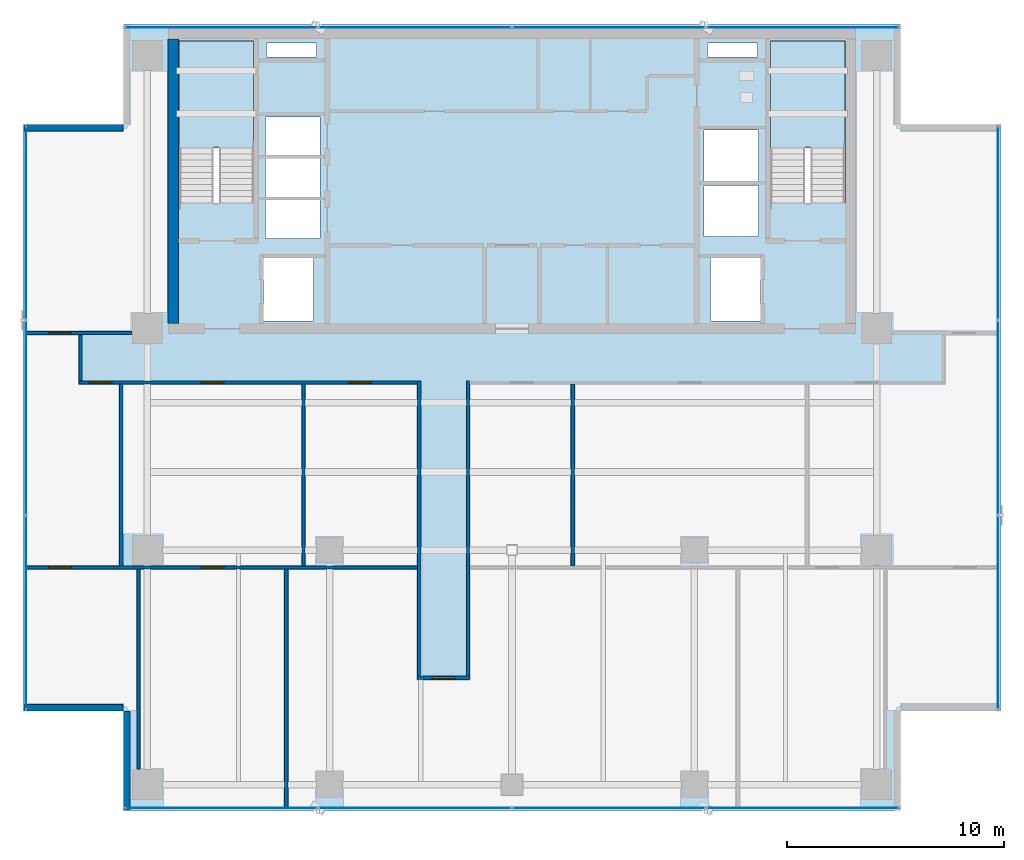
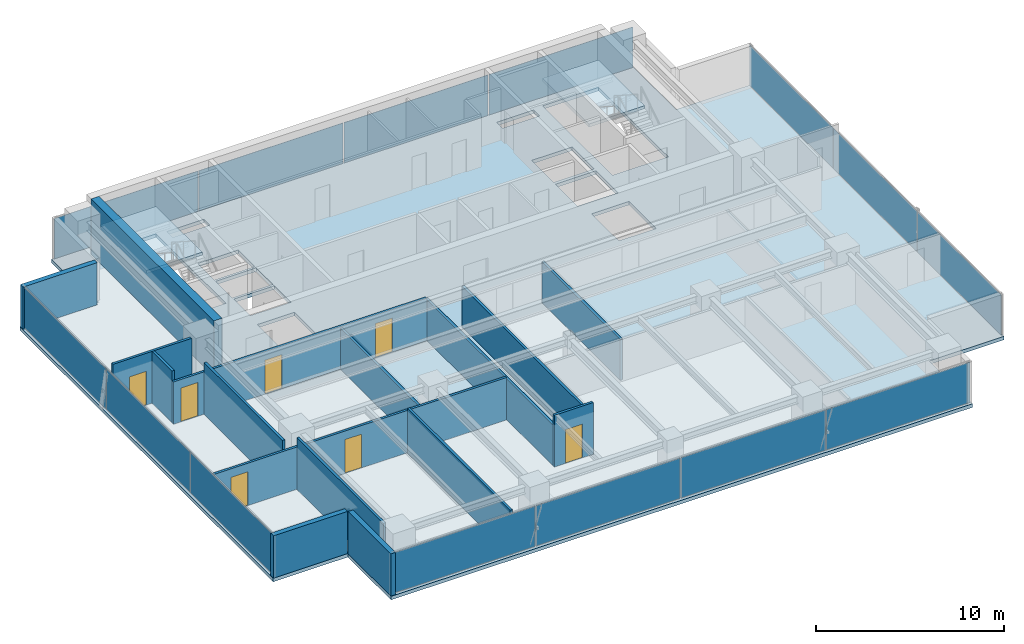
# One storey, part 19 of 26: 16 walls, 14 plates, 7 doors, 3 slabs, 7 openings, 6 elements without a shape of their own.
"""IFC4 building model written with IfcOpenShell, lengths in metres."""

from ifc_helpers import new_model, si_unit, direction, frame, frame_2d, origin, origin_2d, place, context, subcontext, project, spatial, polyline, rectangle, outline, extrude, source, transform, mapped, material, layer, layer_set, type_object, element, fill, aggregate, save


model = new_model("IFC4")

# Units and contexts
model_context = context("Model", 3, precision=1e-05, world=origin(), true_north=direction((0.0, 1.0)))
body_context = subcontext(model_context, "Body", "Model", "MODEL_VIEW")
ifc_project = project(units=[si_unit("LENGTHUNIT", "METRE"), si_unit("AREAUNIT", "SQUARE_METRE"), si_unit("VOLUMEUNIT", "CUBIC_METRE"), si_unit("PLANEANGLEUNIT", "RADIAN"), si_unit("MASSUNIT", "GRAM", prefix="KILO")], contexts=[model_context])

# Site, building, storey
site_placement = place(None, origin())
site = spatial("IfcSite", under=ifc_project, at=site_placement, CompositionType="ELEMENT")
building_placement = place(site_placement, origin())
building = spatial("IfcBuilding", under=site, at=building_placement, Name="Sumidabori Civic Tower", CompositionType="ELEMENT")
storey_placement = place(building_placement, frame((0.0, 0.0, 250.39990234375)))
storey = spatial("IfcBuildingStorey", under=building, at=storey_placement, Name="L65", CompositionType="ELEMENT", Elevation=250.39990234375)

# Stair, slab
ifc_material_1 = material(Name="Concrete C40/50", Category="concrete")
stair_type = type_object("IfcStairType", Name="ST-CORE-1600", PredefinedType="HALF_TURN_STAIR", material=ifc_material_1)
stair_1_placement = place(storey_placement, origin())
stair_1 = element("IfcStair", 1, at=stair_1_placement, inside=storey, type_object=stair_type, Name="L65 ST-1", PredefinedType="HALF_TURN_STAIR")
ifc_layer_1 = layer(ifc_material_1, 0.199951171875, Name="Concrete C40/50")
ifc_layer_set_1 = layer_set([ifc_layer_1], Name="Concrete C40/50")
slab_type_1 = type_object("IfcSlabType", Name="SL-LAND-200", PredefinedType="LANDING", material=ifc_layer_set_1)
slab_1_placement = place(storey_placement, frame((0.0, 0.0, 1.60009765625)))
slab_1 = element("IfcSlab", 2, at=slab_1_placement, type_object=slab_type_1, Name="ST-1 landing 1", PredefinedType="LANDING", context=body_context, shape_type="SweptSolid", body=[
    extrude(outline(polyline([(-11.89990234375, 18.52001953125), (-11.89990234375, 23.449951171875), (-15.340087890625, 23.449951171875), (-15.340087890625, 18.52001953125), (-11.89990234375, 18.52001953125)])), origin(), (0.0, 0.0, 1.0), 0.199951171875),
])
aggregate(stair_1, [slab_1])

stair_2_placement = place(storey_placement, origin())
stair_2 = element("IfcStair", 3, at=stair_2_placement, inside=storey, type_object=stair_type, Name="L65 ST-2", PredefinedType="HALF_TURN_STAIR")
slab_2_placement = place(storey_placement, frame((0.0, 0.0, 1.60009765625)))
slab_2 = element("IfcSlab", 4, at=slab_2_placement, type_object=slab_type_1, Name="ST-2 landing 1", PredefinedType="LANDING", context=body_context, shape_type="SweptSolid", body=[
    extrude(outline(polyline([(15.340087890625, 18.52001953125), (15.340087890625, 23.449951171875), (11.89990234375, 23.449951171875), (11.89990234375, 18.52001953125), (15.340087890625, 18.52001953125)])), origin(), (0.0, 0.0, 1.0), 0.199951171875),
])
aggregate(stair_2, [slab_2])

# Slab
ifc_layer_2 = layer(ifc_material_1, 0.22998046875, Name="Concrete C40/50")
ifc_layer_set_2 = layer_set([ifc_layer_2], Name="Concrete C40/50")
slab_type_2 = type_object("IfcSlabType", Name="SL-Z4-230", PredefinedType="FLOOR", material=ifc_layer_set_2)
slab_3_placement = place(storey_placement, frame((0.0, 0.0, -0.22998046875)))
element("IfcSlab", 5, at=slab_3_placement, inside=storey, type_object=slab_type_2, Name="Structural Slab L65", PredefinedType="FLOOR", context=body_context, shape_type="SweptSolid", body=[
    extrude(outline(polyline([(-17.89990234375, -12.0), (17.89990234375, -12.0), (17.89990234375, -7.39990234375), (22.5, -7.39990234375), (22.5, 19.60009765625), (17.89990234375, 19.60009765625), (17.89990234375, 24.199951171875), (-17.89990234375, 24.199951171875), (-17.89990234375, 19.60009765625), (-22.5, 19.60009765625), (-22.5, -7.39990234375), (-17.89990234375, -7.39990234375), (-17.89990234375, -12.0)]), holes=[polyline([(-11.89990234375, 16.0), (-11.89990234375, 23.449951171875), (-15.340087890625, 23.449951171875), (-15.340087890625, 16.0), (-11.89990234375, 16.0)]), polyline([(15.340087890625, 16.0), (15.340087890625, 23.449951171875), (11.89990234375, 23.449951171875), (11.89990234375, 16.0), (15.340087890625, 16.0)]), polyline([(-11.449951171875, 10.550048828125), (-9.14990234375, 10.550048828125), (-9.14990234375, 13.449951171875), (-11.449951171875, 13.449951171875), (-11.449951171875, 10.550048828125)]), polyline([(9.14990234375, 10.550048828125), (11.449951171875, 10.550048828125), (11.449951171875, 13.449951171875), (9.14990234375, 13.449951171875), (9.14990234375, 10.550048828125)]), polyline([(-11.35009765625, 14.35009765625), (-8.85009765625, 14.35009765625), (-8.85009765625, 16.1201171875), (-11.35009765625, 16.1201171875), (-11.35009765625, 14.35009765625)]), polyline([(-11.35009765625, 16.27001953125), (-8.85009765625, 16.27001953125), (-8.85009765625, 18.0400390625), (-11.35009765625, 18.0400390625), (-11.35009765625, 16.27001953125)]), polyline([(-11.35009765625, 18.18994140625), (-8.85009765625, 18.18994140625), (-8.85009765625, 19.9599609375), (-11.35009765625, 19.9599609375), (-11.35009765625, 18.18994140625)]), polyline([(8.85009765625, 14.449951171875), (11.35009765625, 14.449951171875), (11.35009765625, 16.800048828125), (8.85009765625, 16.800048828125), (8.85009765625, 14.449951171875)]), polyline([(8.85009765625, 17.0), (11.35009765625, 17.0), (11.35009765625, 19.35009765625), (8.85009765625, 19.35009765625), (8.85009765625, 17.0)]), polyline([(-11.300048828125, 22.719970703125), (-9.0, 22.719970703125), (-9.0, 23.35009765625), (-11.300048828125, 23.35009765625), (-11.300048828125, 22.719970703125)]), polyline([(9.0, 22.719970703125), (11.300048828125, 22.719970703125), (11.300048828125, 23.35009765625), (9.0, 23.35009765625), (9.0, 22.719970703125)])]), origin(), (0.0, 0.0, 1.0), 0.22998046875),
])

# Curtain wall, plates
ifc_material_2 = material(Name="Anodised Bronze Aluminium AW-6063-T6", Category="aluminium")
ifc_layer_3 = layer(ifc_material_2, 0.179931640625, Name="Anodised Bronze Aluminium AW-6063-T6")
ifc_layer_set_3 = layer_set([ifc_layer_3], Name="Anodised Bronze Aluminium AW-6063-T6")
curtain_wall_type = type_object("IfcCurtainWallType", Name="CW-SYS-5", PredefinedType="NOTDEFINED", material=ifc_layer_set_3)
curtain_wall_1_placement = place(storey_placement, origin())
curtain_wall_1 = element("IfcCurtainWall", 6, at=curtain_wall_1_placement, inside=storey, type_object=curtain_wall_type, Name="Curtain Wall CW:L65:R01", PredefinedType="NOTDEFINED")
ifc_material_3 = material(Name="Low-E Solar-Control Vision Glazing", Category="glass")
ifc_layer_4 = layer(ifc_material_3, 0.028076171875, Name="Low-E Solar-Control Vision Glazing")
ifc_layer_set_4 = layer_set([ifc_layer_4], Name="Low-E Solar-Control Vision Glazing")
plate_type = type_object("IfcPlateType", Name="CW-PNL-28", PredefinedType="CURTAIN_PANEL", material=ifc_layer_set_4)
shared_shape_1 = source(origin(), body_context, "Body", "SweptSolid", [
    extrude(rectangle(XDim=8.844970703125, YDim=0.028076171875, at=origin_2d()), origin(), (0.0, 0.0, 1.0), 2.6298828125),
])
plate_1_placement = place(storey_placement, frame((-13.387451171875, -11.8798828125, 0.06005859375), z_axis=(0.0, 0.0, 1.0), x_axis=(1.0, 0.0, 0.0)))
plate_1 = element("IfcPlate", 7, at=plate_1_placement, type_object=plate_type, Name="CW-5 panel 1.1", PredefinedType="CURTAIN_PANEL", context=body_context, shape_type="MappedRepresentation", body=[
    mapped(shared_shape_1, transform((0.0, 0.0, 0.0), x_axis=(1.0, 0.0, 0.0), y_axis=(0.0, 1.0, 0.0), z_axis=(0.0, 0.0, 1.0), scale=1.0)),
])
plate_2_placement = place(storey_placement, frame((13.387451171875, -11.8798828125, 0.06005859375), z_axis=(0.0, 0.0, 1.0), x_axis=(1.0, 0.0, 0.0)))
plate_2 = element("IfcPlate", 8, at=plate_2_placement, type_object=plate_type, Name="CW-5 panel 4.1", PredefinedType="CURTAIN_PANEL", context=body_context, shape_type="MappedRepresentation", body=[
    mapped(shared_shape_1, transform((0.0, 0.0, 0.0), x_axis=(1.0, 0.0, 0.0), y_axis=(0.0, 1.0, 0.0), z_axis=(0.0, 0.0, 1.0), scale=1.0)),
])

curtain_wall_2_placement = place(storey_placement, origin())
curtain_wall_2 = element("IfcCurtainWall", 9, at=curtain_wall_2_placement, inside=storey, type_object=curtain_wall_type, Name="Curtain Wall CW:L65:R07", PredefinedType="NOTDEFINED")
plate_3_placement = place(storey_placement, frame((13.387451171875, 24.080078125, 0.06005859375), z_axis=(0.0, 0.0, 1.0), x_axis=(-1.0, 0.0, 0.0)))
plate_3 = element("IfcPlate", 10, at=plate_3_placement, type_object=plate_type, Name="CW-5 panel 1.1", PredefinedType="CURTAIN_PANEL", context=body_context, shape_type="MappedRepresentation", body=[
    mapped(shared_shape_1, transform((0.0, 0.0, 0.0), x_axis=(1.0, 0.0, 0.0), y_axis=(0.0, 1.0, 0.0), z_axis=(0.0, 0.0, 1.0), scale=1.0)),
])
plate_4_placement = place(storey_placement, frame((-13.387451171875, 24.080078125, 0.06005859375), z_axis=(0.0, 0.0, 1.0), x_axis=(-1.0, 0.0, 0.0)))
plate_4 = element("IfcPlate", 11, at=plate_4_placement, type_object=plate_type, Name="CW-5 panel 4.1", PredefinedType="CURTAIN_PANEL", context=body_context, shape_type="MappedRepresentation", body=[
    mapped(shared_shape_1, transform((0.0, 0.0, 0.0), x_axis=(1.0, 0.0, 0.0), y_axis=(0.0, 1.0, 0.0), z_axis=(0.0, 0.0, 1.0), scale=1.0)),
])

# Plate
shared_shape_2 = source(origin(), body_context, "Body", "SweptSolid", [
    extrude(rectangle(XDim=8.875, YDim=0.028076171875, at=origin_2d()), origin(), (0.0, 0.0, 1.0), 2.6298828125),
])
plate_5_placement = place(storey_placement, frame((-4.467529296875, -11.8798828125, 0.06005859375), z_axis=(0.0, 0.0, 1.0), x_axis=(1.0, 0.0, 0.0)))
plate_5 = element("IfcPlate", 12, at=plate_5_placement, type_object=plate_type, Name="CW-5 panel 2.1", PredefinedType="CURTAIN_PANEL", context=body_context, shape_type="MappedRepresentation", body=[
    mapped(shared_shape_2, transform((0.0, 0.0, 0.0), x_axis=(1.0, 0.0, 0.0), y_axis=(0.0, 1.0, 0.0), z_axis=(0.0, 0.0, 1.0), scale=1.0)),
])

plate_6_placement = place(storey_placement, frame((4.467529296875, -11.8798828125, 0.06005859375), z_axis=(0.0, 0.0, 1.0), x_axis=(1.0, 0.0, 0.0)))
plate_6 = element("IfcPlate", 13, at=plate_6_placement, type_object=plate_type, Name="CW-5 panel 3.1", PredefinedType="CURTAIN_PANEL", context=body_context, shape_type="MappedRepresentation", body=[
    mapped(shared_shape_2, transform((0.0, 0.0, 0.0), x_axis=(1.0, 0.0, 0.0), y_axis=(0.0, 1.0, 0.0), z_axis=(0.0, 0.0, 1.0), scale=1.0)),
])

aggregate(curtain_wall_1, [plate_1, plate_5, plate_6, plate_2])

plate_7_placement = place(storey_placement, frame((4.467529296875, 24.080078125, 0.06005859375), z_axis=(0.0, 0.0, 1.0), x_axis=(-1.0, 0.0, 0.0)))
plate_7 = element("IfcPlate", 14, at=plate_7_placement, type_object=plate_type, Name="CW-5 panel 2.1", PredefinedType="CURTAIN_PANEL", context=body_context, shape_type="MappedRepresentation", body=[
    mapped(shared_shape_2, transform((0.0, 0.0, 0.0), x_axis=(1.0, 0.0, 0.0), y_axis=(0.0, 1.0, 0.0), z_axis=(0.0, 0.0, 1.0), scale=1.0)),
])

plate_8_placement = place(storey_placement, frame((-4.467529296875, 24.080078125, 0.06005859375), z_axis=(0.0, 0.0, 1.0), x_axis=(-1.0, 0.0, 0.0)))
plate_8 = element("IfcPlate", 15, at=plate_8_placement, type_object=plate_type, Name="CW-5 panel 3.1", PredefinedType="CURTAIN_PANEL", context=body_context, shape_type="MappedRepresentation", body=[
    mapped(shared_shape_2, transform((0.0, 0.0, 0.0), x_axis=(1.0, 0.0, 0.0), y_axis=(0.0, 1.0, 0.0), z_axis=(0.0, 0.0, 1.0), scale=1.0)),
])

aggregate(curtain_wall_2, [plate_3, plate_7, plate_8, plate_4])

# Curtain wall, plates
curtain_wall_3_placement = place(storey_placement, origin())
curtain_wall_3 = element("IfcCurtainWall", 16, at=curtain_wall_3_placement, inside=storey, type_object=curtain_wall_type, Name="Curtain Wall CW:L65:R04", PredefinedType="NOTDEFINED")
shared_shape_3 = source(origin(), body_context, "Body", "SweptSolid", [
    extrude(rectangle(XDim=8.889892578125, YDim=0.028076171875, at=origin_2d()), origin(), (0.0, 0.0, 1.0), 2.6298828125),
])
plate_9_placement = place(storey_placement, frame((22.3798828125, -2.864990234375, 0.06005859375), z_axis=(0.0, 0.0, 1.0), x_axis=(0.0, 1.0, 0.0)))
plate_9 = element("IfcPlate", 17, at=plate_9_placement, type_object=plate_type, Name="CW-5 panel 1.1", PredefinedType="CURTAIN_PANEL", context=body_context, shape_type="MappedRepresentation", body=[
    mapped(shared_shape_3, transform((0.0, 0.0, 0.0), x_axis=(1.0, 0.0, 0.0), y_axis=(0.0, 1.0, 0.0), z_axis=(0.0, 0.0, 1.0), scale=1.0)),
])
plate_10_placement = place(storey_placement, frame((22.3798828125, 15.06494140625, 0.06005859375), z_axis=(0.0, 0.0, 1.0), x_axis=(0.0, 1.0, 0.0)))
plate_10 = element("IfcPlate", 18, at=plate_10_placement, type_object=plate_type, Name="CW-5 panel 3.1", PredefinedType="CURTAIN_PANEL", context=body_context, shape_type="MappedRepresentation", body=[
    mapped(shared_shape_3, transform((0.0, 0.0, 0.0), x_axis=(1.0, 0.0, 0.0), y_axis=(0.0, 1.0, 0.0), z_axis=(0.0, 0.0, 1.0), scale=1.0)),
])

curtain_wall_4_placement = place(storey_placement, origin())
curtain_wall_4 = element("IfcCurtainWall", 19, at=curtain_wall_4_placement, inside=storey, type_object=curtain_wall_type, Name="Curtain Wall CW:L65:R10", PredefinedType="NOTDEFINED")
plate_11_placement = place(storey_placement, frame((-22.3798828125, 15.06494140625, 0.06005859375), z_axis=(0.0, 0.0, 1.0), x_axis=(0.0, -1.0, 0.0)))
plate_11 = element("IfcPlate", 20, at=plate_11_placement, type_object=plate_type, Name="CW-5 panel 1.1", PredefinedType="CURTAIN_PANEL", context=body_context, shape_type="MappedRepresentation", body=[
    mapped(shared_shape_3, transform((0.0, 0.0, 0.0), x_axis=(1.0, 0.0, 0.0), y_axis=(0.0, 1.0, 0.0), z_axis=(0.0, 0.0, 1.0), scale=1.0)),
])
plate_12_placement = place(storey_placement, frame((-22.3798828125, -2.864990234375, 0.06005859375), z_axis=(0.0, 0.0, 1.0), x_axis=(0.0, -1.0, 0.0)))
plate_12 = element("IfcPlate", 21, at=plate_12_placement, type_object=plate_type, Name="CW-5 panel 3.1", PredefinedType="CURTAIN_PANEL", context=body_context, shape_type="MappedRepresentation", body=[
    mapped(shared_shape_3, transform((0.0, 0.0, 0.0), x_axis=(1.0, 0.0, 0.0), y_axis=(0.0, 1.0, 0.0), z_axis=(0.0, 0.0, 1.0), scale=1.0)),
])

# Plate
shared_shape_4 = source(origin(), body_context, "Body", "SweptSolid", [
    extrude(rectangle(XDim=8.919921875, YDim=0.028076171875, at=origin_2d()), origin(), (0.0, 0.0, 1.0), 2.6298828125),
])
plate_13_placement = place(storey_placement, frame((22.3798828125, 6.10009765625, 0.06005859375), z_axis=(0.0, 0.0, 1.0), x_axis=(0.0, 1.0, 0.0)))
plate_13 = element("IfcPlate", 22, at=plate_13_placement, type_object=plate_type, Name="CW-5 panel 2.1", PredefinedType="CURTAIN_PANEL", context=body_context, shape_type="MappedRepresentation", body=[
    mapped(shared_shape_4, transform((0.0, 0.0, 0.0), x_axis=(1.0, 0.0, 0.0), y_axis=(0.0, 1.0, 0.0), z_axis=(0.0, 0.0, 1.0), scale=1.0)),
])

aggregate(curtain_wall_3, [plate_9, plate_13, plate_10])

plate_14_placement = place(storey_placement, frame((-22.3798828125, 6.10009765625, 0.06005859375), z_axis=(0.0, 0.0, 1.0), x_axis=(0.0, -1.0, 0.0)))
plate_14 = element("IfcPlate", 23, at=plate_14_placement, type_object=plate_type, Name="CW-5 panel 2.1", PredefinedType="CURTAIN_PANEL", context=body_context, shape_type="MappedRepresentation", body=[
    mapped(shared_shape_4, transform((0.0, 0.0, 0.0), x_axis=(1.0, 0.0, 0.0), y_axis=(0.0, 1.0, 0.0), z_axis=(0.0, 0.0, 1.0), scale=1.0)),
])

aggregate(curtain_wall_4, [plate_11, plate_14, plate_12])

# Walls
ifc_material_4 = material(Name="Concrete C50/60", Category="concrete")
ifc_layer_5 = layer(ifc_material_4, 0.5, Name="Concrete C50/60")
ifc_layer_set_5 = layer_set([ifc_layer_5], Name="Concrete C50/60")
wall_type_1 = type_object("IfcWallType", Name="WL-CORE-500", PredefinedType="SHEAR", material=ifc_layer_set_5)
shared_shape_5 = source(origin(), body_context, "Body", "SweptSolid", [
    extrude(rectangle(XDim=13.10009765625, YDim=0.5, at=frame_2d((6.550048828125, 0.0))), origin(), (0.0, 0.0, 1.0), 3.60009765625),
])
wall_1_placement = place(storey_placement, frame((-15.60009765625, 10.449951171875, 0.0), z_axis=(0.0, 0.0, 1.0), x_axis=(0.0, 1.0, 0.0)))
element("IfcWall", 24, at=wall_1_placement, inside=storey, type_object=wall_type_1, Name="Core Shear Wall L65 W", PredefinedType="SHEAR", context=body_context, shape_type="MappedRepresentation", body=[
    mapped(shared_shape_5, transform((0.0, 0.0, 0.0), x_axis=(1.0, 0.0, 0.0), y_axis=(0.0, 1.0, 0.0), z_axis=(0.0, 0.0, 1.0), scale=1.0)),
])
ifc_material_5 = material(Name="Precast concrete C40/50", Category="concrete")
ifc_layer_6 = layer(ifc_material_5, 0.300048828125, Name="Precast concrete C40/50")
ifc_layer_set_6 = layer_set([ifc_layer_6], Name="Precast concrete C40/50")
wall_type_2 = type_object("IfcWallType", Name="WL-EXT-POD300", PredefinedType="STANDARD", material=ifc_layer_set_6)
shared_shape_6 = source(origin(), body_context, "Body", "SweptSolid", [
    extrude(rectangle(XDim=4.56005859375, YDim=0.300048828125, at=frame_2d((2.280029296875, 0.0))), origin(), (0.0, 0.0, 1.0), 2.75),
])
for number, where, z_axis, x_axis, name in (
    (25, (-17.919921875, 19.449951171875, 0.0), (0.0, 0.0, 1.0), (-1.0, 0.0, 0.0), "Notched Corner Spandrel Band L65-09"),
    (26, (-22.47998046875, -7.25, 0.0), (0.0, 0.0, 1.0), (1.0, 0.0, 0.0), "Notched Corner Spandrel Band L65-11"),
    (27, (-17.75, -7.419921875, 0.0), (0.0, 0.0, 1.0), (0.0, -1.0, 0.0), "Notched Corner Spandrel Band L65-12"),
):
    element("IfcWall", number, at=place(storey_placement, frame(where, z_axis=z_axis, x_axis=x_axis)), inside=storey, type_object=wall_type_2, Name=name, PredefinedType="STANDARD", context=body_context, shape_type="MappedRepresentation", body=[
        mapped(shared_shape_6, transform((0.0, 0.0, 0.0), x_axis=(1.0, 0.0, 0.0), y_axis=(0.0, 1.0, 0.0), z_axis=(0.0, 0.0, 1.0), scale=1.0)),
    ])

# Wall, opening, door
ifc_material_6 = material(Name="Gypsum Plasterboard Acoustic Partition")
ifc_layer_7 = layer(ifc_material_6, 0.14990234375, Name="Gypsum Plasterboard Acoustic Partition")
ifc_layer_set_7 = layer_set([ifc_layer_7], Name="Gypsum Plasterboard Acoustic Partition")
wall_type_3 = type_object("IfcWallType", Name="WL-PART-150", PredefinedType="PARTITIONING", material=ifc_layer_set_7)
shared_shape_7 = source(origin(), body_context, "Body", "SweptSolid", [
    extrude(rectangle(XDim=4.840087890625, YDim=0.14990234375, at=frame_2d((2.419921875, 0.0))), origin(), (0.0, 0.0, 1.0), 3.3701171875),
])
wall_2_placement = place(storey_placement, frame((-22.35009765625, 10.0, 0.0), z_axis=(0.0, 0.0, 1.0), x_axis=(1.0, 0.0, 0.0)))
wall_2 = element("IfcWall", 28, at=wall_2_placement, inside=storey, type_object=wall_type_3, Name="Interior Partition WL:L65:FLK-NW", PredefinedType="PARTITIONING", context=body_context, shape_type="MappedRepresentation", body=[
    mapped(shared_shape_7, transform((0.0, 0.0, 0.0), x_axis=(1.0, 0.0, 0.0), y_axis=(0.0, 1.0, 0.0), z_axis=(0.0, 0.0, 1.0), scale=1.0)),
])
opening_1_placement = place(wall_2_placement, frame((1.017578125, 0.0, 0.0)))
opening_1 = element("IfcOpeningElement", 29, at=opening_1_placement, cuts=wall_2, Name="Opening DR-4", PredefinedType="OPENING", context=body_context, shape_type="SweptSolid", body=[
    extrude(rectangle(XDim=1.0400390625, YDim=2.199951171875, at=frame_2d((0.52001953125, 1.10009765625))), frame((0.0, 0.0869140625, 0.0), z_axis=(0.0, -1.0, 0.0), x_axis=(1.0, 0.0, 0.0)), (0.0, 0.0, 1.0), 0.173828125),
])
ifc_material_7 = material(Name="Japanese Hinoki Timber", Category="wood")
door_type = type_object("IfcDoorType", Name="DR-INT-1040", OperationType="NOTDEFINED", PredefinedType="DOOR", material=ifc_material_7)
shared_shape_8 = source(origin(), body_context, "Body", "SweptSolid", [
    extrude(rectangle(XDim=1.0400390625, YDim=2.199951171875, at=frame_2d((0.52001953125, 1.10009765625))), frame((0.0, 0.02490234375, 0.0), z_axis=(0.0, -1.0, 0.0), x_axis=(1.0, 0.0, 0.0)), (0.0, 0.0, 1.0), 0.050048828125),
])
door_1_placement = place(opening_1_placement, origin())
door_1 = element("IfcDoor", 30, at=door_1_placement, inside=storey, type_object=door_type, Name="Door DR:L65:D08", OperationType="SINGLE_SWING_RIGHT", OverallHeight=2.199951171875, OverallWidth=1.0400390625, PredefinedType="DOOR", context=body_context, shape_type="MappedRepresentation", body=[
    mapped(shared_shape_8, transform((0.0, 0.0, 0.0), x_axis=(1.0, 0.0, 0.0), y_axis=(0.0, 1.0, 0.0), z_axis=(0.0, 0.0, 1.0), scale=1.0)),
])
fill(opening_1, door_1)

# Wall, openings, doors
shared_shape_9 = source(origin(), body_context, "Body", "SweptSolid", [
    extrude(rectangle(XDim=15.599853515625, YDim=0.14990234375, at=frame_2d((7.7998046875, 0.0))), origin(), (0.0, 0.0, 1.0), 2.755126953125),
])
wall_3_placement = place(storey_placement, frame((-19.949951171875, 7.72509765625, 0.0), z_axis=(0.0, 0.0, 1.0), x_axis=(1.0, 0.0, 0.0)))
wall_3 = element("IfcWall", 31, at=wall_3_placement, inside=storey, type_object=wall_type_3, Name="Interior Partition WL:L65:CORR-SW", PredefinedType="PARTITIONING", context=body_context, shape_type="MappedRepresentation", body=[
    mapped(shared_shape_9, transform((0.0, 0.0, 0.0), x_axis=(1.0, 0.0, 0.0), y_axis=(0.0, 1.0, 0.0), z_axis=(0.0, 0.0, 1.0), scale=1.0)),
])
opening_2_placement = place(wall_3_placement, frame((0.4775390625, 0.0, 0.0)))
opening_2 = element("IfcOpeningElement", 32, at=opening_2_placement, cuts=wall_3, Name="Opening DR-4", PredefinedType="OPENING", context=body_context, shape_type="SweptSolid", body=[
    extrude(rectangle(XDim=1.0400390625, YDim=2.199951171875, at=frame_2d((0.52001953125, 1.10009765625))), frame((0.0, 0.0869140625, 0.0), z_axis=(0.0, -1.0, 0.0), x_axis=(1.0, 0.0, 0.0)), (0.0, 0.0, 1.0), 0.173828125),
])
opening_3_placement = place(wall_3_placement, frame((5.6298828125, 0.0, 0.0)))
opening_3 = element("IfcOpeningElement", 33, at=opening_3_placement, cuts=wall_3, Name="Opening DR-4", PredefinedType="OPENING", context=body_context, shape_type="SweptSolid", body=[
    extrude(rectangle(XDim=1.0400390625, YDim=2.199951171875, at=frame_2d((0.52001953125, 1.10009765625))), frame((0.0, 0.0869140625, 0.0), z_axis=(0.0, -1.0, 0.0), x_axis=(1.0, 0.0, 0.0)), (0.0, 0.0, 1.0), 0.173828125),
])
opening_4_placement = place(wall_3_placement, frame((12.4326171875, 0.0, 0.0)))
opening_4 = element("IfcOpeningElement", 34, at=opening_4_placement, cuts=wall_3, Name="Opening DR-4", PredefinedType="OPENING", context=body_context, shape_type="SweptSolid", body=[
    extrude(rectangle(XDim=1.0400390625, YDim=2.199951171875, at=frame_2d((0.52001953125, 1.10009765625))), frame((0.0, 0.0869140625, 0.0), z_axis=(0.0, -1.0, 0.0), x_axis=(1.0, 0.0, 0.0)), (0.0, 0.0, 1.0), 0.173828125),
])
door_2_placement = place(opening_2_placement, origin())
door_2 = element("IfcDoor", 35, at=door_2_placement, inside=storey, type_object=door_type, Name="Door DR:L65:D01", OperationType="SINGLE_SWING_LEFT", OverallHeight=2.199951171875, OverallWidth=1.0400390625, PredefinedType="DOOR", context=body_context, shape_type="MappedRepresentation", body=[
    mapped(shared_shape_8, transform((0.0, 0.0, 0.0), x_axis=(1.0, 0.0, 0.0), y_axis=(0.0, 1.0, 0.0), z_axis=(0.0, 0.0, 1.0), scale=1.0)),
])
fill(opening_2, door_2)
door_3_placement = place(opening_3_placement, origin())
door_3 = element("IfcDoor", 36, at=door_3_placement, inside=storey, type_object=door_type, Name="Door DR:L65:D03", OperationType="SINGLE_SWING_LEFT", OverallHeight=2.199951171875, OverallWidth=1.0400390625, PredefinedType="DOOR", context=body_context, shape_type="MappedRepresentation", body=[
    mapped(shared_shape_8, transform((0.0, 0.0, 0.0), x_axis=(1.0, 0.0, 0.0), y_axis=(0.0, 1.0, 0.0), z_axis=(0.0, 0.0, 1.0), scale=1.0)),
])
fill(opening_3, door_3)
door_4_placement = place(opening_4_placement, origin())
door_4 = element("IfcDoor", 37, at=door_4_placement, inside=storey, type_object=door_type, Name="Door DR:L65:D04", OperationType="SINGLE_SWING_RIGHT", OverallHeight=2.199951171875, OverallWidth=1.0400390625, PredefinedType="DOOR", context=body_context, shape_type="MappedRepresentation", body=[
    mapped(shared_shape_8, transform((0.0, 0.0, 0.0), x_axis=(1.0, 0.0, 0.0), y_axis=(0.0, 1.0, 0.0), z_axis=(0.0, 0.0, 1.0), scale=1.0)),
])
fill(opening_4, door_4)

# Wall, opening, door
shared_shape_10 = source(origin(), body_context, "Body", "SweptSolid", [
    extrude(rectangle(XDim=2.400146484375, YDim=0.14990234375, at=frame_2d((1.2001953125, 0.0))), origin(), (0.0, 0.0, 1.0), 3.3701171875),
])
wall_4_placement = place(storey_placement, frame((-4.35009765625, -5.875, 0.0), z_axis=(0.0, 0.0, 1.0), x_axis=(1.0, 0.0, 0.0)))
wall_4 = element("IfcWall", 38, at=wall_4_placement, inside=storey, type_object=wall_type_3, Name="Interior Partition WL:L65:CORR-CAP-C", PredefinedType="PARTITIONING", context=body_context, shape_type="MappedRepresentation", body=[
    mapped(shared_shape_10, transform((0.0, 0.0, 0.0), x_axis=(1.0, 0.0, 0.0), y_axis=(0.0, 1.0, 0.0), z_axis=(0.0, 0.0, 1.0), scale=1.0)),
])
opening_5_placement = place(wall_4_placement, frame((0.679931640625, 0.0, 0.0)))
opening_5 = element("IfcOpeningElement", 39, at=opening_5_placement, cuts=wall_4, Name="Opening DR-4", PredefinedType="OPENING", context=body_context, shape_type="SweptSolid", body=[
    extrude(rectangle(XDim=1.0400390625, YDim=2.199951171875, at=frame_2d((0.52001953125, 1.10009765625))), frame((0.0, 0.0869140625, 0.0), z_axis=(0.0, -1.0, 0.0), x_axis=(1.0, 0.0, 0.0)), (0.0, 0.0, 1.0), 0.173828125),
])
door_5_placement = place(opening_5_placement, origin())
door_5 = element("IfcDoor", 40, at=door_5_placement, inside=storey, type_object=door_type, Name="Door DR:L65:D07", OperationType="SINGLE_SWING_LEFT", OverallHeight=2.199951171875, OverallWidth=1.0400390625, PredefinedType="DOOR", context=body_context, shape_type="MappedRepresentation", body=[
    mapped(shared_shape_8, transform((0.0, 0.0, 0.0), x_axis=(1.0, 0.0, 0.0), y_axis=(0.0, 1.0, 0.0), z_axis=(0.0, 0.0, 1.0), scale=1.0)),
])
fill(opening_5, door_5)

# Walls
shared_shape_11 = source(origin(), body_context, "Body", "SweptSolid", [
    extrude(rectangle(XDim=2.114990234375, YDim=0.14990234375, at=frame_2d((1.0576171875, 0.0))), origin(), (0.0, 0.0, 1.0), 3.3701171875),
])
wall_5_placement = place(storey_placement, frame((-19.875, 7.804931640625, 0.0), z_axis=(0.0, 0.0, 1.0), x_axis=(0.0, 1.0, 0.0)))
element("IfcWall", 41, at=wall_5_placement, inside=storey, type_object=wall_type_3, Name="Interior Partition WL:L65:CORR-VNW", PredefinedType="PARTITIONING", context=body_context, shape_type="MappedRepresentation", body=[
    mapped(shared_shape_11, transform((0.0, 0.0, 0.0), x_axis=(1.0, 0.0, 0.0), y_axis=(0.0, 1.0, 0.0), z_axis=(0.0, 0.0, 1.0), scale=1.0)),
])
shared_shape_12 = source(origin(), body_context, "Body", "SweptSolid", [
    extrude(rectangle(XDim=13.594970703125, YDim=0.14990234375, at=frame_2d((6.79736328125, 0.0))), origin(), (0.0, 0.0, 1.0), 2.655029296875),
])
for number, where, z_axis, x_axis, name in (
    (42, (-4.27490234375, -5.794921875, 0.0), (0.0, 0.0, 1.0), (0.0, 1.0, 0.0), "Interior Partition WL:L65:CORR-VC-W"),
    (43, (-2.02490234375, -5.794921875, 0.0), (0.0, 0.0, 1.0), (0.0, 1.0, 0.0), "Interior Partition WL:L65:CORR-VC-E"),
):
    element("IfcWall", number, at=place(storey_placement, frame(where, z_axis=z_axis, x_axis=x_axis)), inside=storey, type_object=wall_type_3, Name=name, PredefinedType="PARTITIONING", context=body_context, shape_type="MappedRepresentation", body=[
        mapped(shared_shape_12, transform((0.0, 0.0, 0.0), x_axis=(1.0, 0.0, 0.0), y_axis=(0.0, 1.0, 0.0), z_axis=(0.0, 0.0, 1.0), scale=1.0)),
    ])

# Wall, openings, doors
shared_shape_13 = source(origin(), body_context, "Body", "SweptSolid", [
    extrude(rectangle(XDim=17.9951171875, YDim=0.14990234375, at=frame_2d((8.99755859375, 0.0))), origin(), (0.0, 0.0, 1.0), 2.755126953125),
])
wall_6_placement = place(storey_placement, frame((-22.35009765625, -0.800048828125, 0.0), z_axis=(0.0, 0.0, 1.0), x_axis=(1.0, 0.0, 0.0)))
wall_6 = element("IfcWall", 44, at=wall_6_placement, inside=storey, type_object=wall_type_3, Name="Interior Partition WL:L65:BAND-Y-1", PredefinedType="PARTITIONING", context=body_context, shape_type="MappedRepresentation", body=[
    mapped(shared_shape_13, transform((0.0, 0.0, 0.0), x_axis=(1.0, 0.0, 0.0), y_axis=(0.0, 1.0, 0.0), z_axis=(0.0, 0.0, 1.0), scale=1.0)),
])
opening_6_placement = place(wall_6_placement, frame((1.017578125, 0.0, 0.0)))
opening_6 = element("IfcOpeningElement", 45, at=opening_6_placement, cuts=wall_6, Name="Opening DR-4", PredefinedType="OPENING", context=body_context, shape_type="SweptSolid", body=[
    extrude(rectangle(XDim=1.0400390625, YDim=2.199951171875, at=frame_2d((0.52001953125, 1.10009765625))), frame((0.0, 0.0869140625, 0.0), z_axis=(0.0, -1.0, 0.0), x_axis=(1.0, 0.0, 0.0)), (0.0, 0.0, 1.0), 0.173828125),
])
opening_7_placement = place(wall_6_placement, frame((8.030029296875, 0.0, 0.0)))
opening_7 = element("IfcOpeningElement", 46, at=opening_7_placement, cuts=wall_6, Name="Opening DR-4", PredefinedType="OPENING", context=body_context, shape_type="SweptSolid", body=[
    extrude(rectangle(XDim=1.0400390625, YDim=2.199951171875, at=frame_2d((0.52001953125, 1.10009765625))), frame((0.0, 0.0869140625, 0.0), z_axis=(0.0, -1.0, 0.0), x_axis=(1.0, 0.0, 0.0)), (0.0, 0.0, 1.0), 0.173828125),
])
door_6_placement = place(opening_6_placement, origin())
door_6 = element("IfcDoor", 47, at=door_6_placement, inside=storey, type_object=door_type, Name="Door DR:L65:D10", OperationType="SINGLE_SWING_RIGHT", OverallHeight=2.199951171875, OverallWidth=1.0400390625, PredefinedType="DOOR", context=body_context, shape_type="MappedRepresentation", body=[
    mapped(shared_shape_8, transform((0.0, 0.0, 0.0), x_axis=(1.0, 0.0, 0.0), y_axis=(0.0, 1.0, 0.0), z_axis=(0.0, 0.0, 1.0), scale=1.0)),
])
fill(opening_6, door_6)
door_7_placement = place(opening_7_placement, origin())
door_7 = element("IfcDoor", 48, at=door_7_placement, inside=storey, type_object=door_type, Name="Door DR:L65:D12", OperationType="SINGLE_SWING_RIGHT", OverallHeight=2.199951171875, OverallWidth=1.0400390625, PredefinedType="DOOR", context=body_context, shape_type="MappedRepresentation", body=[
    mapped(shared_shape_8, transform((0.0, 0.0, 0.0), x_axis=(1.0, 0.0, 0.0), y_axis=(0.0, 1.0, 0.0), z_axis=(0.0, 0.0, 1.0), scale=1.0)),
])
fill(opening_7, door_7)

# Walls
shared_shape_14 = source(origin(), body_context, "Body", "SweptSolid", [
    extrude(rectangle(XDim=8.364990234375, YDim=0.14990234375, at=frame_2d((4.1826171875, 0.0))), origin(), (0.0, 0.0, 1.0), 3.3701171875),
])
wall_7_placement = place(storey_placement, frame((-18.0, -0.719970703125, 0.0), z_axis=(0.0, 0.0, 1.0), x_axis=(0.0, 1.0, 0.0)))
element("IfcWall", 49, at=wall_7_placement, inside=storey, type_object=wall_type_3, Name="Interior Partition WL:L65:VX-N1", PredefinedType="PARTITIONING", context=body_context, shape_type="MappedRepresentation", body=[
    mapped(shared_shape_14, transform((0.0, 0.0, 0.0), x_axis=(1.0, 0.0, 0.0), y_axis=(0.0, 1.0, 0.0), z_axis=(0.0, 0.0, 1.0), scale=1.0)),
])
shared_shape_15 = source(origin(), body_context, "Body", "SweptSolid", [
    extrude(rectangle(XDim=8.364990234375, YDim=0.14990234375, at=frame_2d((4.1826171875, 0.0))), origin(), (0.0, 0.0, 1.0), 2.655029296875),
])
for number, where, z_axis, x_axis, name in (
    (50, (-9.60009765625, -0.719970703125, 0.0), (0.0, 0.0, 1.0), (0.0, 1.0, 0.0), "Interior Partition WL:L65:VX-N2"),
    (51, (2.800048828125, -0.719970703125, 0.0), (0.0, 0.0, 1.0), (0.0, 1.0, 0.0), "Interior Partition WL:L65:VX-N3"),
):
    element("IfcWall", number, at=place(storey_placement, frame(where, z_axis=z_axis, x_axis=x_axis)), inside=storey, type_object=wall_type_3, Name=name, PredefinedType="PARTITIONING", context=body_context, shape_type="MappedRepresentation", body=[
        mapped(shared_shape_15, transform((0.0, 0.0, 0.0), x_axis=(1.0, 0.0, 0.0), y_axis=(0.0, 1.0, 0.0), z_axis=(0.0, 0.0, 1.0), scale=1.0)),
    ])
shared_shape_16 = source(origin(), body_context, "Body", "SweptSolid", [
    extrude(rectangle(XDim=9.210205078125, YDim=0.14990234375, at=frame_2d((4.60498046875, 0.0))), origin(), (0.0, 0.0, 1.0), 3.3701171875),
])
wall_8_placement = place(storey_placement, frame((-17.199951171875, -10.090087890625, 0.0), z_axis=(0.0, 0.0, 1.0), x_axis=(0.0, 1.0, 0.0)))
element("IfcWall", 52, at=wall_8_placement, inside=storey, type_object=wall_type_3, Name="Interior Partition WL:L65:VX-S1", PredefinedType="PARTITIONING", context=body_context, shape_type="MappedRepresentation", body=[
    mapped(shared_shape_16, transform((0.0, 0.0, 0.0), x_axis=(1.0, 0.0, 0.0), y_axis=(0.0, 1.0, 0.0), z_axis=(0.0, 0.0, 1.0), scale=1.0)),
])
shared_shape_17 = source(origin(), body_context, "Body", "SweptSolid", [
    extrude(rectangle(XDim=10.97021484375, YDim=0.14990234375, at=frame_2d((5.485107421875, 0.0))), origin(), (0.0, 0.0, 1.0), 2.905029296875),
])
wall_9_placement = place(storey_placement, frame((-10.39990234375, -11.85009765625, 0.0), z_axis=(0.0, 0.0, 1.0), x_axis=(0.0, 1.0, 0.0)))
element("IfcWall", 53, at=wall_9_placement, inside=storey, type_object=wall_type_3, Name="Interior Partition WL:L65:VX-S2", PredefinedType="PARTITIONING", context=body_context, shape_type="MappedRepresentation", body=[
    mapped(shared_shape_17, transform((0.0, 0.0, 0.0), x_axis=(1.0, 0.0, 0.0), y_axis=(0.0, 1.0, 0.0), z_axis=(0.0, 0.0, 1.0), scale=1.0)),
])

save(model, "model.ifc")
